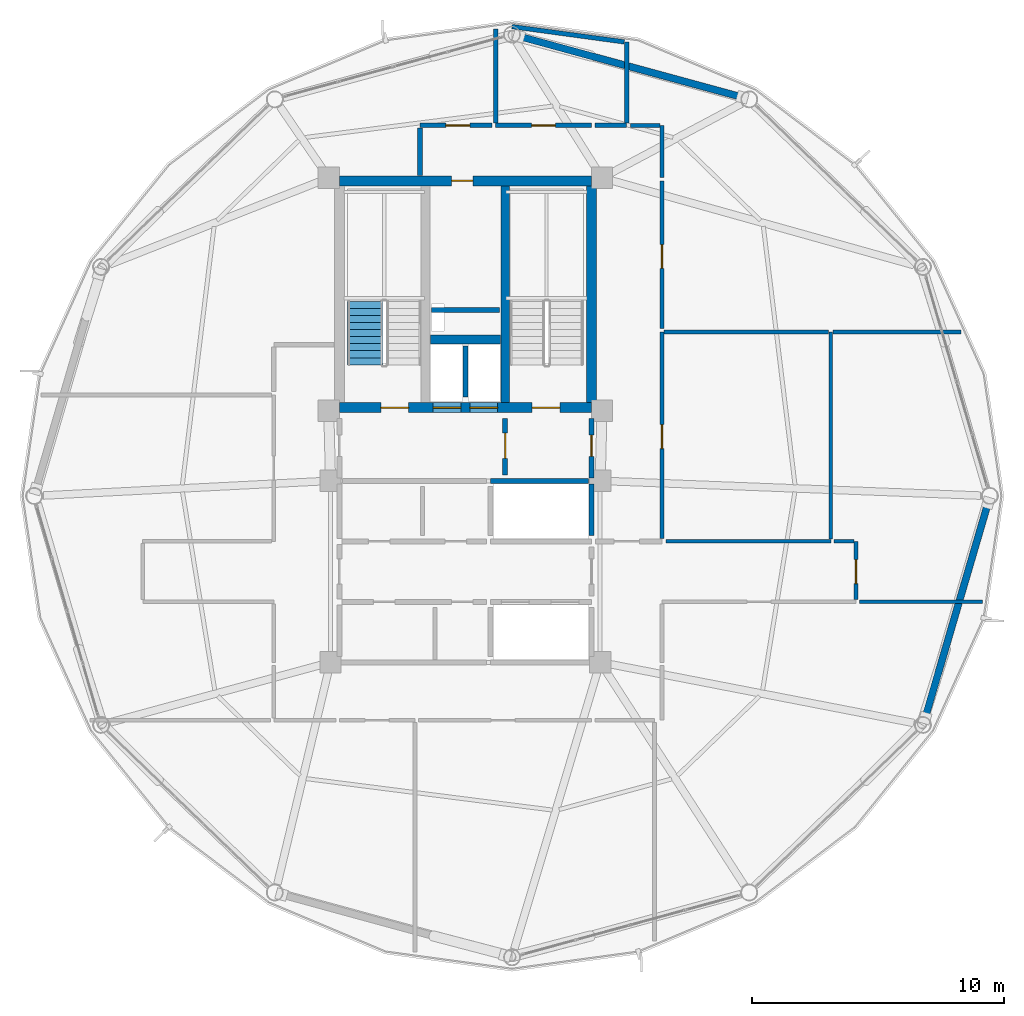
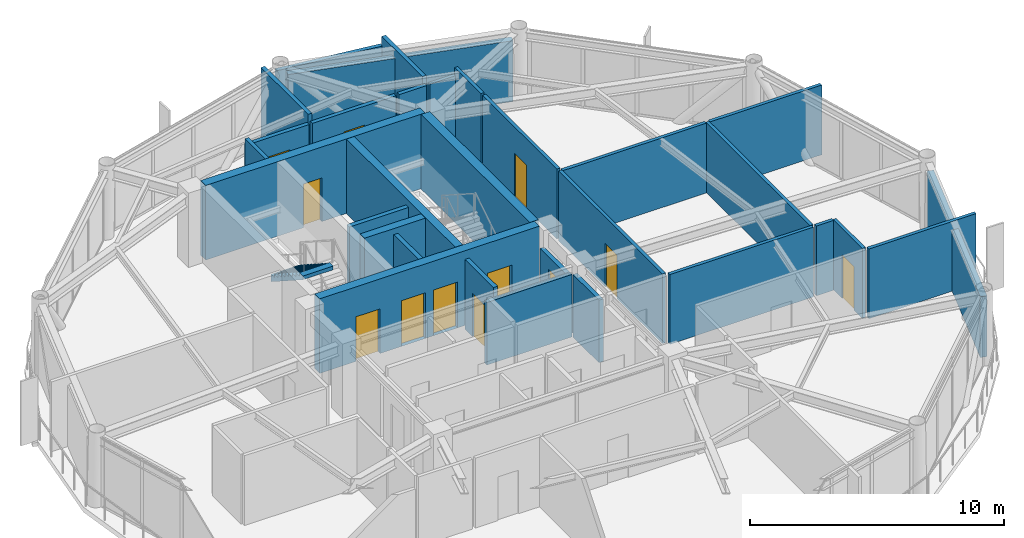
# One storey, part 22 of 26: 31 walls, 12 doors, 1 stair flight, 12 openings, 1 element without a shape of its own.
"""IFC4 building model written with IfcOpenShell, lengths in metres."""

from ifc_helpers import new_model, si_unit, direction, frame, frame_2d, origin, place, context, subcontext, project, spatial, polyline, rectangle, outline, extrude, material, layer, layer_set, type_object, element, fill, aggregate, save


model = new_model("IFC4")

# Units and contexts
model_context = context("Model", 3, precision=1e-05, world=origin(), true_north=direction((0.0, 1.0)))
body_context = subcontext(model_context, "Body", "Model", "MODEL_VIEW")
ifc_project = project(units=[si_unit("LENGTHUNIT", "METRE"), si_unit("AREAUNIT", "SQUARE_METRE"), si_unit("VOLUMEUNIT", "CUBIC_METRE"), si_unit("PLANEANGLEUNIT", "RADIAN"), si_unit("MASSUNIT", "GRAM", prefix="KILO")], contexts=[model_context])

# Site, building, storey
site_placement = place(None, origin())
site = spatial("IfcSite", under=ifc_project, at=site_placement, CompositionType="ELEMENT")
building_placement = place(site_placement, origin())
building = spatial("IfcBuilding", under=site, at=building_placement, Name="Varnakorn Sky Granary", CompositionType="ELEMENT")
storey_placement = place(building_placement, frame((0.0, 0.0, 222.0)))
storey = spatial("IfcBuildingStorey", under=building, at=storey_placement, Name="L56", CompositionType="ELEMENT", Elevation=222.0)

# Walls
ifc_material_1 = material(Name="Concrete C50/60", Category="concrete")
ifc_layer_1 = layer(ifc_material_1, 0.35009765625, Name="Concrete C50/60")
ifc_layer_set_1 = layer_set([ifc_layer_1], Name="Concrete C50/60")
wall_type_1 = type_object("IfcWallType", Name="WT-CW-INT-350", PredefinedType="SHEAR", material=ifc_layer_set_1)
wall_1_placement = place(storey_placement, frame((4.580078125, 3.7099609375, 0.0), z_axis=(0.0, 0.0, 1.0), x_axis=(0.0, 1.0, 0.0)))
element("IfcWall", 1, at=wall_1_placement, inside=storey, type_object=wall_type_1, Name="Stair ST-2 Core Wall L56", PredefinedType="SHEAR", context=body_context, shape_type="SweptSolid", body=[
    extrude(rectangle(XDim=8.580078125, YDim=0.35009765625, at=frame_2d((4.2900390625, 0.0))), origin(), (0.0, 0.0, 1.0), 3.592041015625),
])
wall_2_placement = place(storey_placement, frame((1.610107421875, 6.199951171875, 0.0), z_axis=(0.0, 0.0, 1.0), x_axis=(1.0, 0.0, 0.0)))
element("IfcWall", 2, at=wall_2_placement, inside=storey, type_object=wall_type_1, Name="Core Lift Shaft Cross Wall L56", PredefinedType="SHEAR", context=body_context, shape_type="SweptSolid", body=[
    extrude(rectangle(XDim=2.77978515625, YDim=0.35009765625, at=frame_2d((1.389892578125, 0.0))), origin(), (0.0, 0.0, 1.0), 3.592041015625),
])

# Wall, openings, doors
ifc_layer_2 = layer(ifc_material_1, 0.39990234375, Name="Concrete C50/60")
ifc_layer_set_2 = layer_set([ifc_layer_2], Name="Concrete C50/60")
wall_type_2 = type_object("IfcWallType", Name="WT-CW-SHEAR-400", PredefinedType="SHEAR", material=ifc_layer_set_2)
wall_3_placement = place(storey_placement, frame((-2.0, 3.5, 0.0), z_axis=(0.0, 0.0, 1.0), x_axis=(1.0, 0.0, 0.0)))
wall_3 = element("IfcWall", 3, at=wall_3_placement, inside=storey, type_object=wall_type_2, Name="Core South Shear Wall L56", PredefinedType="SHEAR", context=body_context, shape_type="SweptSolid", body=[
    extrude(rectangle(XDim=10.0, YDim=0.39990234375, at=frame_2d((5.0, 0.0))), origin(), (0.0, 0.0, 1.0), 3.592041015625),
])
opening_1_placement = place(wall_3_placement, frame((1.64990234375, 0.0, 0.0)))
opening_1 = element("IfcOpeningElement", 4, at=opening_1_placement, cuts=wall_3, Name="Opening FD-90", PredefinedType="OPENING", context=body_context, shape_type="SweptSolid", body=[
    extrude(rectangle(XDim=1.10009765625, YDim=2.14990234375, at=frame_2d((0.550048828125, 1.074951171875))), frame((0.0, 0.2099609375, 0.0), z_axis=(0.0, -1.0, 0.0), x_axis=(1.0, 0.0, 0.0)), (0.0, 0.0, 1.0), 0.419921875),
])
opening_2_placement = place(wall_3_placement, frame((7.64990234375, 0.0, 0.0)))
opening_2 = element("IfcOpeningElement", 5, at=opening_2_placement, cuts=wall_3, Name="Opening FD-90", PredefinedType="OPENING", context=body_context, shape_type="SweptSolid", body=[
    extrude(rectangle(XDim=1.10009765625, YDim=2.14990234375, at=frame_2d((0.550048828125, 1.074951171875))), frame((0.0, 0.2099609375, 0.0), z_axis=(0.0, -1.0, 0.0), x_axis=(1.0, 0.0, 0.0)), (0.0, 0.0, 1.0), 0.419921875),
])
opening_3_placement = place(wall_3_placement, frame((3.719970703125, 0.0, 0.0)))
opening_3 = element("IfcOpeningElement", 6, at=opening_3_placement, cuts=wall_3, Name="Opening LD-01", PredefinedType="OPENING", context=body_context, shape_type="SweptSolid", body=[
    extrude(rectangle(XDim=1.10009765625, YDim=2.199951171875, at=frame_2d((0.550048828125, 1.10009765625))), frame((0.0, 0.2099609375, 0.0), z_axis=(0.0, -1.0, 0.0), x_axis=(1.0, 0.0, 0.0)), (0.0, 0.0, 1.0), 0.419921875),
])
opening_4_placement = place(wall_3_placement, frame((5.179931640625, 0.0, 0.0)))
opening_4 = element("IfcOpeningElement", 7, at=opening_4_placement, cuts=wall_3, Name="Opening LD-01", PredefinedType="OPENING", context=body_context, shape_type="SweptSolid", body=[
    extrude(rectangle(XDim=1.10009765625, YDim=2.199951171875, at=frame_2d((0.550048828125, 1.10009765625))), frame((0.0, 0.2099609375, 0.0), z_axis=(0.0, -1.0, 0.0), x_axis=(1.0, 0.0, 0.0)), (0.0, 0.0, 1.0), 0.419921875),
])
ifc_material_2 = material(Name="Brushed Bronze Stainless Steel", Category="steel")
door_type_1 = type_object("IfcDoorType", Name="DR-LD-1100", OperationType="DOUBLE_DOOR_SLIDING", PredefinedType="DOOR", material=ifc_material_2)
door_1_placement = place(opening_3_placement, origin())
door_1 = element("IfcDoor", 8, at=door_1_placement, inside=storey, type_object=door_type_1, Name="Firefighting Lift FFL-1 Landing Door L56", OperationType="DOUBLE_DOOR_SLIDING", OverallHeight=2.199951171875, OverallWidth=1.10009765625, PredefinedType="DOOR", context=body_context, shape_type="SweptSolid", body=[
    extrude(rectangle(XDim=1.10009765625, YDim=2.199951171875, at=frame_2d((0.550048828125, 1.10009765625))), frame((0.0, 0.02490234375, 0.0), z_axis=(0.0, -1.0, 0.0), x_axis=(1.0, 0.0, 0.0)), (0.0, 0.0, 1.0), 0.050048828125),
])
fill(opening_3, door_1)
door_2_placement = place(opening_4_placement, origin())
door_2 = element("IfcDoor", 9, at=door_2_placement, inside=storey, type_object=door_type_1, Name="Firefighting Lift FFL-2 Landing Door L56", OperationType="DOUBLE_DOOR_SLIDING", OverallHeight=2.199951171875, OverallWidth=1.10009765625, PredefinedType="DOOR", context=body_context, shape_type="SweptSolid", body=[
    extrude(rectangle(XDim=1.10009765625, YDim=2.199951171875, at=frame_2d((0.550048828125, 1.10009765625))), frame((0.0, 0.02490234375, 0.0), z_axis=(0.0, -1.0, 0.0), x_axis=(1.0, 0.0, 0.0)), (0.0, 0.0, 1.0), 0.050048828125),
])
fill(opening_4, door_2)
ifc_material_3 = material(Name="Galvanised Painted Steel Leaf", Category="steel")
door_type_2 = type_object("IfcDoorType", Name="DR-STAIR-1100", OperationType="NOTDEFINED", PredefinedType="DOOR", material=ifc_material_3)
door_3_placement = place(opening_1_placement, origin())
door_3 = element("IfcDoor", 10, at=door_3_placement, inside=storey, type_object=door_type_2, Name="Stair ST-1 Protected Fire Door L56", OperationType="SINGLE_SWING_LEFT", OverallHeight=2.14990234375, OverallWidth=1.10009765625, PredefinedType="DOOR", context=body_context, shape_type="SweptSolid", body=[
    extrude(rectangle(XDim=1.10009765625, YDim=2.14990234375, at=frame_2d((0.550048828125, 1.074951171875))), frame((0.0, 0.02490234375, 0.0), z_axis=(0.0, -1.0, 0.0), x_axis=(1.0, 0.0, 0.0)), (0.0, 0.0, 1.0), 0.050048828125),
])
fill(opening_1, door_3)
door_4_placement = place(opening_2_placement, origin())
door_4 = element("IfcDoor", 11, at=door_4_placement, inside=storey, type_object=door_type_2, Name="Stair ST-2 Protected Fire Door L56", OperationType="SINGLE_SWING_RIGHT", OverallHeight=2.14990234375, OverallWidth=1.10009765625, PredefinedType="DOOR", context=body_context, shape_type="SweptSolid", body=[
    extrude(rectangle(XDim=1.10009765625, YDim=2.14990234375, at=frame_2d((0.550048828125, 1.074951171875))), frame((0.0, 0.02490234375, 0.0), z_axis=(0.0, -1.0, 0.0), x_axis=(1.0, 0.0, 0.0)), (0.0, 0.0, 1.0), 0.050048828125),
])
fill(opening_2, door_4)

# Wall, opening, door
wall_4_placement = place(storey_placement, frame((-2.0, 12.5, 0.0), z_axis=(0.0, 0.0, 1.0), x_axis=(1.0, 0.0, 0.0)))
wall_4 = element("IfcWall", 12, at=wall_4_placement, inside=storey, type_object=wall_type_2, Name="Core North Shear Wall L56", PredefinedType="SHEAR", context=body_context, shape_type="SweptSolid", body=[
    extrude(rectangle(XDim=10.0, YDim=0.39990234375, at=frame_2d((5.0, 0.0))), origin(), (0.0, 0.0, 1.0), 3.592041015625),
])
opening_5_placement = place(wall_4_placement, frame((4.449951171875, 0.0, 0.0)))
opening_5 = element("IfcOpeningElement", 13, at=opening_5_placement, cuts=wall_4, Name="Opening FD-60N", PredefinedType="OPENING", context=body_context, shape_type="SweptSolid", body=[
    extrude(rectangle(XDim=0.85009765625, YDim=2.10009765625, at=frame_2d((0.425048828125, 1.050048828125))), frame((0.0, 0.2099609375, 0.0), z_axis=(0.0, -1.0, 0.0), x_axis=(1.0, 0.0, 0.0)), (0.0, 0.0, 1.0), 0.419921875),
])
ifc_material_4 = material(Name="Acoustic Timber Fire Leaf", Category="wood")
door_type_3 = type_object("IfcDoorType", Name="DR-FD60-850", OperationType="NOTDEFINED", PredefinedType="DOOR", material=ifc_material_4)
door_5_placement = place(opening_5_placement, origin())
door_5 = element("IfcDoor", 14, at=door_5_placement, inside=storey, type_object=door_type_3, Name="Core North Service Door L56", OperationType="SINGLE_SWING_RIGHT", OverallHeight=2.10009765625, OverallWidth=0.85009765625, PredefinedType="DOOR", context=body_context, shape_type="SweptSolid", body=[
    extrude(rectangle(XDim=0.85009765625, YDim=2.10009765625, at=frame_2d((0.425048828125, 1.050048828125))), frame((0.0, 0.02490234375, 0.0), z_axis=(0.0, -1.0, 0.0), x_axis=(1.0, 0.0, 0.0)), (0.0, 0.0, 1.0), 0.050048828125),
])
fill(opening_5, door_5)

# Walls
wall_5_placement = place(storey_placement, frame((8.0, 3.7099609375, 0.0), z_axis=(0.0, 0.0, 1.0), x_axis=(0.0, 1.0, 0.0)))
element("IfcWall", 15, at=wall_5_placement, inside=storey, type_object=wall_type_2, Name="Core East Shear Wall L56", PredefinedType="SHEAR", context=body_context, shape_type="SweptSolid", body=[
    extrude(rectangle(XDim=8.580078125, YDim=0.39990234375, at=frame_2d((4.2900390625, 0.0))), origin(), (0.0, 0.0, 1.0), 3.592041015625),
])
ifc_material_5 = material(Name="Precast concrete C40/50", Category="concrete")
ifc_layer_3 = layer(ifc_material_5, 0.280029296875, Name="Precast concrete C40/50")
ifc_layer_set_3 = layer_set([ifc_layer_3], Name="Precast concrete C40/50")
wall_type_3 = type_object("IfcWallType", Name="WT-EW-CRN-280", PredefinedType="SOLIDWALL", material=ifc_layer_set_3)
wall_6_placement = place(storey_placement, frame((5.125, 18.235107421875, 0.0), z_axis=(0.0, 0.0, 1.0), x_axis=(0.964712927754, -0.263303944186, 0.0)))
element("IfcWall", 16, at=wall_6_placement, inside=storey, type_object=wall_type_3, Name="Agritech Insulated Precast Facade Wall L56-P03", PredefinedType="SOLIDWALL", context=body_context, shape_type="SweptSolid", body=[
    extrude(rectangle(XDim=9.191650390625, YDim=0.280029296875, at=frame_2d((4.595703125, 0.0))), origin(), (0.0, 0.0, 1.0), 2.929931640625),
])
wall_7_placement = place(storey_placement, frame((23.739013671875, -0.2734375, 0.0), z_axis=(0.0, 0.0, 1.0), x_axis=(-0.280756366698, -0.959779069661, 0.0)))
element("IfcWall", 17, at=wall_7_placement, inside=storey, type_object=wall_type_3, Name="Agritech Insulated Precast Facade Wall L56-P12", PredefinedType="SOLIDWALL", context=body_context, shape_type="SweptSolid", body=[
    extrude(rectangle(XDim=8.8984375, YDim=0.280029296875, at=frame_2d((4.44921875, 0.0))), origin(), (0.0, 0.0, 1.0), 2.929931640625),
])

# Wall, opening, door
ifc_material_6 = material(Name="Autoclaved Aerated Concrete Blockwork", Category="masonry")
ifc_layer_4 = layer(ifc_material_6, 0.199951171875, Name="Autoclaved Aerated Concrete Blockwork")
ifc_layer_set_4 = layer_set([ifc_layer_4], Name="Autoclaved Aerated Concrete Blockwork")
wall_type_4 = type_object("IfcWallType", Name="WT-FIRE-200", PredefinedType="MOVABLE", material=ifc_layer_set_4)
wall_8_placement = place(storey_placement, frame((4.580078125, 0.830078125, 0.0), z_axis=(0.0, 0.0, 1.0), x_axis=(0.0, 1.0, 0.0)))
wall_8 = element("IfcWall", 18, at=wall_8_placement, inside=storey, type_object=wall_type_4, Name="Interior Partition Wall L56-011", PredefinedType="MOVABLE", context=body_context, shape_type="SweptSolid", body=[
    extrude(rectangle(XDim=2.239990234375, YDim=0.199951171875, at=frame_2d((1.1201171875, 0.0))), origin(), (0.0, 0.0, 1.0), 3.360107421875),
])
opening_6_placement = place(wall_8_placement, frame((0.659912109375, 0.0, 0.0)))
opening_6 = element("IfcOpeningElement", 19, at=opening_6_placement, cuts=wall_8, Name="Opening FD-60", PredefinedType="OPENING", context=body_context, shape_type="SweptSolid", body=[
    extrude(rectangle(XDim=1.0, YDim=2.10009765625, at=frame_2d((0.5, 1.050048828125))), frame((0.0, 0.10986328125, 0.0), z_axis=(0.0, -1.0, 0.0), x_axis=(1.0, 0.0, 0.0)), (0.0, 0.0, 1.0), 0.219970703125),
])
door_type_4 = type_object("IfcDoorType", Name="DR-FD60-1000", OperationType="NOTDEFINED", PredefinedType="DOOR", material=ifc_material_4)
door_6_placement = place(opening_6_placement, origin())
door_6 = element("IfcDoor", 20, at=door_6_placement, inside=storey, type_object=door_type_4, Name="Interior Door L56-011-1", OperationType="SINGLE_SWING_LEFT", OverallHeight=2.10009765625, OverallWidth=1.0, PredefinedType="DOOR", context=body_context, shape_type="SweptSolid", body=[
    extrude(rectangle(XDim=1.0, YDim=2.10009765625, at=frame_2d((0.5, 1.050048828125))), frame((0.0, 0.02490234375, 0.0), z_axis=(0.0, -1.0, 0.0), x_axis=(1.0, 0.0, 0.0)), (0.0, 0.0, 1.0), 0.050048828125),
])
fill(opening_6, door_6)

wall_9_placement = place(storey_placement, frame((8.0, 0.719970703125, 0.0), z_axis=(0.0, 0.0, 1.0), x_axis=(0.0, 1.0, 0.0)))
wall_9 = element("IfcWall", 21, at=wall_9_placement, inside=storey, type_object=wall_type_4, Name="Interior Partition Wall L56-013", PredefinedType="MOVABLE", context=body_context, shape_type="SweptSolid", body=[
    extrude(rectangle(XDim=2.35009765625, YDim=0.199951171875, at=frame_2d((1.175048828125, 0.0))), origin(), (0.0, 0.0, 1.0), 2.69189453125),
])
opening_7_placement = place(wall_9_placement, frame((0.844970703125, 0.0, 0.0)))
opening_7 = element("IfcOpeningElement", 22, at=opening_7_placement, cuts=wall_9, Name="Opening FD-60N", PredefinedType="OPENING", context=body_context, shape_type="SweptSolid", body=[
    extrude(rectangle(XDim=0.85009765625, YDim=2.10009765625, at=frame_2d((0.425048828125, 1.050048828125))), frame((0.0, 0.10986328125, 0.0), z_axis=(0.0, -1.0, 0.0), x_axis=(1.0, 0.0, 0.0)), (0.0, 0.0, 1.0), 0.219970703125),
])
door_7_placement = place(opening_7_placement, origin())
door_7 = element("IfcDoor", 23, at=door_7_placement, inside=storey, type_object=door_type_3, Name="Interior Door L56-013-1", OperationType="SINGLE_SWING_LEFT", OverallHeight=2.10009765625, OverallWidth=0.85009765625, PredefinedType="DOOR", context=body_context, shape_type="SweptSolid", body=[
    extrude(rectangle(XDim=0.85009765625, YDim=2.10009765625, at=frame_2d((0.425048828125, 1.050048828125))), frame((0.0, 0.02490234375, 0.0), z_axis=(0.0, -1.0, 0.0), x_axis=(1.0, 0.0, 0.0)), (0.0, 0.0, 1.0), 0.050048828125),
])
fill(opening_7, door_7)

ifc_material_7 = material(Name="Gypsum Plasterboard on Steel Stud", Category="steel")
ifc_layer_5 = layer(ifc_material_7, 0.14990234375, Name="Gypsum Plasterboard on Steel Stud")
ifc_layer_set_5 = layer_set([ifc_layer_5], Name="Gypsum Plasterboard on Steel Stud")
wall_type_5 = type_object("IfcWallType", Name="WT-PART-150", PredefinedType="PARTITIONING", material=ifc_layer_set_5)
wall_10_placement = place(storey_placement, frame((10.800048828125, -1.68994140625, 0.0), z_axis=(0.0, 0.0, 1.0), x_axis=(0.0, 1.0, 0.0)))
wall_10 = element("IfcWall", 24, at=wall_10_placement, inside=storey, type_object=wall_type_5, Name="Interior Partition Wall L56-025", PredefinedType="PARTITIONING", context=body_context, shape_type="SweptSolid", body=[
    extrude(rectangle(XDim=8.18994140625, YDim=0.14990234375, at=frame_2d((4.094970703125, 0.0))), origin(), (0.0, 0.0, 1.0), 3.360107421875),
])
opening_8_placement = place(wall_10_placement, frame((3.56494140625, 0.0, 0.0)))
opening_8 = element("IfcOpeningElement", 25, at=opening_8_placement, cuts=wall_10, Name="Opening ID-95", PredefinedType="OPENING", context=body_context, shape_type="SweptSolid", body=[
    extrude(rectangle(XDim=0.949951171875, YDim=2.10009765625, at=frame_2d((0.47509765625, 1.050048828125))), frame((0.0, 0.0849609375, 0.0), z_axis=(0.0, -1.0, 0.0), x_axis=(1.0, 0.0, 0.0)), (0.0, 0.0, 1.0), 0.169921875),
])
ifc_material_8 = material(Name="Solid-Core Teak Veneer Leaf", Category="timber")
door_type_5 = type_object("IfcDoorType", Name="DR-INT-950", OperationType="NOTDEFINED", PredefinedType="DOOR", material=ifc_material_8)
door_8_placement = place(opening_8_placement, origin())
door_8 = element("IfcDoor", 26, at=door_8_placement, inside=storey, type_object=door_type_5, Name="Interior Door L56-025-1", OperationType="SINGLE_SWING_LEFT", OverallHeight=2.10009765625, OverallWidth=0.949951171875, PredefinedType="DOOR", context=body_context, shape_type="SweptSolid", body=[
    extrude(rectangle(XDim=0.949951171875, YDim=2.10009765625, at=frame_2d((0.47509765625, 1.050048828125))), frame((0.0, 0.02490234375, 0.0), z_axis=(0.0, -1.0, 0.0), x_axis=(1.0, 0.0, 0.0)), (0.0, 0.0, 1.0), 0.050048828125),
])
fill(opening_8, door_8)

wall_11_placement = place(storey_placement, frame((18.5, -4.114990234375, 0.0), z_axis=(0.0, 0.0, 1.0), x_axis=(0.0, 1.0, 0.0)))
wall_11 = element("IfcWall", 27, at=wall_11_placement, inside=storey, type_object=wall_type_5, Name="Interior Partition Wall L56-026", PredefinedType="PARTITIONING", context=body_context, shape_type="SweptSolid", body=[
    extrude(rectangle(XDim=2.31494140625, YDim=0.14990234375, at=frame_2d((1.157470703125, 0.0))), origin(), (0.0, 0.0, 1.0), 3.360107421875),
])
opening_9_placement = place(wall_11_placement, frame((0.639892578125, 0.0, 0.0)))
opening_9 = element("IfcOpeningElement", 28, at=opening_9_placement, cuts=wall_11, Name="Opening ID-95", PredefinedType="OPENING", context=body_context, shape_type="SweptSolid", body=[
    extrude(rectangle(XDim=0.949951171875, YDim=2.10009765625, at=frame_2d((0.47509765625, 1.050048828125))), frame((0.0, 0.0849609375, 0.0), z_axis=(0.0, -1.0, 0.0), x_axis=(1.0, 0.0, 0.0)), (0.0, 0.0, 1.0), 0.169921875),
])
door_9_placement = place(opening_9_placement, origin())
door_9 = element("IfcDoor", 29, at=door_9_placement, inside=storey, type_object=door_type_5, Name="Interior Door L56-026-1", OperationType="SINGLE_SWING_RIGHT", OverallHeight=2.10009765625, OverallWidth=0.949951171875, PredefinedType="DOOR", context=body_context, shape_type="SweptSolid", body=[
    extrude(rectangle(XDim=0.949951171875, YDim=2.10009765625, at=frame_2d((0.47509765625, 1.050048828125))), frame((0.0, 0.02490234375, 0.0), z_axis=(0.0, -1.0, 0.0), x_axis=(1.0, 0.0, 0.0)), (0.0, 0.0, 1.0), 0.050048828125),
])
fill(opening_9, door_9)

wall_12_placement = place(storey_placement, frame((10.800048828125, 6.635009765625, 0.0), z_axis=(0.0, 0.0, 1.0), x_axis=(0.0, 1.0, 0.0)))
wall_12 = element("IfcWall", 30, at=wall_12_placement, inside=storey, type_object=wall_type_5, Name="Interior Partition Wall L56-027", PredefinedType="PARTITIONING", context=body_context, shape_type="SweptSolid", body=[
    extrude(rectangle(XDim=5.864990234375, YDim=0.14990234375, at=frame_2d((2.9326171875, 0.0))), origin(), (0.0, 0.0, 1.0), 3.360107421875),
])
opening_10_placement = place(wall_12_placement, frame((2.389892578125, 0.0, 0.0)))
opening_10 = element("IfcOpeningElement", 31, at=opening_10_placement, cuts=wall_12, Name="Opening ID-95", PredefinedType="OPENING", context=body_context, shape_type="SweptSolid", body=[
    extrude(rectangle(XDim=0.949951171875, YDim=2.10009765625, at=frame_2d((0.47509765625, 1.050048828125))), frame((0.0, 0.0849609375, 0.0), z_axis=(0.0, -1.0, 0.0), x_axis=(1.0, 0.0, 0.0)), (0.0, 0.0, 1.0), 0.169921875),
])
door_10_placement = place(opening_10_placement, origin())
door_10 = element("IfcDoor", 32, at=door_10_placement, inside=storey, type_object=door_type_5, Name="Interior Door L56-027-1", OperationType="SINGLE_SWING_LEFT", OverallHeight=2.10009765625, OverallWidth=0.949951171875, PredefinedType="DOOR", context=body_context, shape_type="SweptSolid", body=[
    extrude(rectangle(XDim=0.949951171875, YDim=2.10009765625, at=frame_2d((0.47509765625, 1.050048828125))), frame((0.0, 0.02490234375, 0.0), z_axis=(0.0, -1.0, 0.0), x_axis=(1.0, 0.0, 0.0)), (0.0, 0.0, 1.0), 0.050048828125),
])
fill(opening_10, door_10)

# Walls
wall_13_placement = place(storey_placement, frame((18.635009765625, -4.199951171875, 0.0), z_axis=(0.0, 0.0, 1.0), x_axis=(1.0, 0.0, 0.0)))
element("IfcWall", 33, at=wall_13_placement, inside=storey, type_object=wall_type_5, Name="Interior Partition Wall L56-042", PredefinedType="PARTITIONING", context=body_context, shape_type="SweptSolid", body=[
    extrude(rectangle(XDim=4.882080078125, YDim=0.14990234375, at=frame_2d((2.44091796875, 0.0))), origin(), (0.0, 0.0, 1.0), 3.360107421875),
])
wall_14_placement = place(storey_placement, frame((17.5, -1.800048828125, 0.0), z_axis=(0.0, 0.0, 1.0), x_axis=(-1.0, 0.0, 0.0)))
element("IfcWall", 34, at=wall_14_placement, inside=storey, type_object=wall_type_5, Name="Interior Partition Wall L56-053", PredefinedType="PARTITIONING", context=body_context, shape_type="SweptSolid", body=[
    extrude(rectangle(XDim=6.5400390625, YDim=0.14990234375, at=frame_2d((3.27001953125, 0.0))), origin(), (0.0, 0.0, 1.0), 3.360107421875),
])
wall_15_placement = place(storey_placement, frame((17.5, 6.5, 0.0), z_axis=(0.0, 0.0, 1.0), x_axis=(0.0, -1.0, 0.0)))
element("IfcWall", 35, at=wall_15_placement, inside=storey, type_object=wall_type_5, Name="Interior Partition Wall L56-054", PredefinedType="PARTITIONING", context=body_context, shape_type="SweptSolid", body=[
    extrude(rectangle(XDim=8.215087890625, YDim=0.14990234375, at=frame_2d((4.107421875, 0.0))), origin(), (0.0, 0.0, 1.0), 3.360107421875),
])
wall_16_placement = place(storey_placement, frame((10.885009765625, 6.5, 0.0), z_axis=(0.0, 0.0, 1.0), x_axis=(1.0, 0.0, 0.0)))
element("IfcWall", 36, at=wall_16_placement, inside=storey, type_object=wall_type_5, Name="Interior Partition Wall L56-055", PredefinedType="PARTITIONING", context=body_context, shape_type="SweptSolid", body=[
    extrude(rectangle(XDim=6.530029296875, YDim=0.14990234375, at=frame_2d((3.26513671875, 0.0))), origin(), (0.0, 0.0, 1.0), 3.360107421875),
])
wall_17_placement = place(storey_placement, frame((18.4150390625, -1.800048828125, 0.0), z_axis=(0.0, 0.0, 1.0), x_axis=(-1.0, 0.0, 0.0)))
element("IfcWall", 37, at=wall_17_placement, inside=storey, type_object=wall_type_5, Name="Interior Partition Wall L56-056", PredefinedType="PARTITIONING", context=body_context, shape_type="SweptSolid", body=[
    extrude(rectangle(XDim=0.780029296875, YDim=0.14990234375, at=frame_2d((0.39013671875, 0.0))), origin(), (0.0, 0.0, 1.0), 3.360107421875),
])
wall_18_placement = place(storey_placement, frame((17.5849609375, 6.5, 0.0), z_axis=(0.0, 0.0, 1.0), x_axis=(1.0, 0.0, 0.0)))
element("IfcWall", 38, at=wall_18_placement, inside=storey, type_object=wall_type_5, Name="Interior Partition Wall L56-057", PredefinedType="PARTITIONING", context=body_context, shape_type="SweptSolid", body=[
    extrude(rectangle(XDim=5.0810546875, YDim=0.14990234375, at=frame_2d((2.54052734375, 0.0))), origin(), (0.0, 0.0, 1.0), 3.360107421875),
])
wall_19_placement = place(storey_placement, frame((10.800048828125, 12.635009765625, 0.0), z_axis=(0.0, 0.0, 1.0), x_axis=(0.0, 1.0, 0.0)))
element("IfcWall", 39, at=wall_19_placement, inside=storey, type_object=wall_type_5, Name="Interior Partition Wall L56-058", PredefinedType="PARTITIONING", context=body_context, shape_type="SweptSolid", body=[
    extrude(rectangle(XDim=2.06494140625, YDim=0.14990234375, at=frame_2d((1.032470703125, 0.0))), origin(), (0.0, 0.0, 1.0), 3.360107421875),
])
wall_20_placement = place(storey_placement, frame((10.715087890625, 14.699951171875, 0.0), z_axis=(0.0, 0.0, 1.0), x_axis=(-1.0, 0.0, 0.0)))
element("IfcWall", 40, at=wall_20_placement, inside=storey, type_object=wall_type_5, Name="Interior Partition Wall L56-059", PredefinedType="PARTITIONING", context=body_context, shape_type="SweptSolid", body=[
    extrude(rectangle(XDim=1.1650390625, YDim=0.14990234375, at=frame_2d((0.58251953125, 0.0))), origin(), (0.0, 0.0, 1.0), 3.011962890625),
])

# Wall, opening, door
ifc_material_9 = material(Name="Moisture-Resistant Gypsum on Stud", Category="gypsum")
ifc_layer_6 = layer(ifc_material_9, 0.179931640625, Name="Moisture-Resistant Gypsum on Stud")
ifc_layer_set_6 = layer_set([ifc_layer_6], Name="Moisture-Resistant Gypsum on Stud")
wall_type_6 = type_object("IfcWallType", Name="WT-PLUMB-180", PredefinedType="PLUMBINGWALL", material=ifc_layer_set_6)
wall_21_placement = place(storey_placement, frame((8.0, 14.699951171875, 0.0), z_axis=(0.0, 0.0, 1.0), x_axis=(-1.0, 0.0, 0.0)))
wall_21 = element("IfcWall", 41, at=wall_21_placement, inside=storey, type_object=wall_type_6, Name="Interior Partition Wall L56-019", PredefinedType="PLUMBINGWALL", context=body_context, shape_type="SweptSolid", body=[
    extrude(rectangle(XDim=3.800048828125, YDim=0.179931640625, at=frame_2d((1.89990234375, 0.0))), origin(), (0.0, 0.0, 1.0), 3.011962890625),
])
opening_11_placement = place(wall_21_placement, frame((1.425048828125, 0.0, 0.0)))
opening_11 = element("IfcOpeningElement", 42, at=opening_11_placement, cuts=wall_21, Name="Opening ID-95", PredefinedType="OPENING", context=body_context, shape_type="SweptSolid", body=[
    extrude(rectangle(XDim=0.949951171875, YDim=2.10009765625, at=frame_2d((0.47509765625, 1.050048828125))), frame((0.0, 0.10009765625, 0.0), z_axis=(0.0, -1.0, 0.0), x_axis=(1.0, 0.0, 0.0)), (0.0, 0.0, 1.0), 0.199951171875),
])
door_11_placement = place(opening_11_placement, origin())
door_11 = element("IfcDoor", 43, at=door_11_placement, inside=storey, type_object=door_type_5, Name="Interior Door L56-019-1", OperationType="SINGLE_SWING_LEFT", OverallHeight=2.10009765625, OverallWidth=0.949951171875, PredefinedType="DOOR", context=body_context, shape_type="SweptSolid", body=[
    extrude(rectangle(XDim=0.949951171875, YDim=2.10009765625, at=frame_2d((0.47509765625, 1.050048828125))), frame((0.0, 0.02490234375, 0.0), z_axis=(0.0, -1.0, 0.0), x_axis=(1.0, 0.0, 0.0)), (0.0, 0.0, 1.0), 0.050048828125),
])
fill(opening_11, door_11)

wall_22_placement = place(storey_placement, frame((4.050048828125, 14.699951171875, 0.0), z_axis=(0.0, 0.0, 1.0), x_axis=(-1.0, 0.0, 0.0)))
wall_22 = element("IfcWall", 44, at=wall_22_placement, inside=storey, type_object=wall_type_6, Name="Interior Partition Wall L56-024", PredefinedType="PLUMBINGWALL", context=body_context, shape_type="SweptSolid", body=[
    extrude(rectangle(XDim=2.85009765625, YDim=0.179931640625, at=frame_2d((1.425048828125, 0.0))), origin(), (0.0, 0.0, 1.0), 3.011962890625),
])
opening_12_placement = place(wall_22_placement, frame((0.875, 0.0, 0.0)))
opening_12 = element("IfcOpeningElement", 45, at=opening_12_placement, cuts=wall_22, Name="Opening ID-95", PredefinedType="OPENING", context=body_context, shape_type="SweptSolid", body=[
    extrude(rectangle(XDim=0.949951171875, YDim=2.10009765625, at=frame_2d((0.47509765625, 1.050048828125))), frame((0.0, 0.10009765625, 0.0), z_axis=(0.0, -1.0, 0.0), x_axis=(1.0, 0.0, 0.0)), (0.0, 0.0, 1.0), 0.199951171875),
])
door_12_placement = place(opening_12_placement, origin())
door_12 = element("IfcDoor", 46, at=door_12_placement, inside=storey, type_object=door_type_5, Name="Interior Door L56-024-1", OperationType="SINGLE_SWING_RIGHT", OverallHeight=2.10009765625, OverallWidth=0.949951171875, PredefinedType="DOOR", context=body_context, shape_type="SweptSolid", body=[
    extrude(rectangle(XDim=0.949951171875, YDim=2.10009765625, at=frame_2d((0.47509765625, 1.050048828125))), frame((0.0, 0.02490234375, 0.0), z_axis=(0.0, -1.0, 0.0), x_axis=(1.0, 0.0, 0.0)), (0.0, 0.0, 1.0), 0.050048828125),
])
fill(opening_12, door_12)

# Walls
wall_23_placement = place(storey_placement, frame((9.39990234375, 14.699951171875, 0.0), z_axis=(0.0, 0.0, 1.0), x_axis=(-1.0, 0.0, 0.0)))
element("IfcWall", 47, at=wall_23_placement, inside=storey, type_object=wall_type_6, Name="Interior Partition Wall L56-034", PredefinedType="PLUMBINGWALL", context=body_context, shape_type="SweptSolid", body=[
    extrude(rectangle(XDim=1.25, YDim=0.179931640625, at=frame_2d((0.625, 0.0))), origin(), (0.0, 0.0, 1.0), 3.011962890625),
])
wall_24_placement = place(storey_placement, frame((1.199951171875, 14.60009765625, 0.0), z_axis=(0.0, 0.0, 1.0), x_axis=(0.0, -1.0, 0.0)))
element("IfcWall", 48, at=wall_24_placement, inside=storey, type_object=wall_type_6, Name="Interior Partition Wall L56-049", PredefinedType="PLUMBINGWALL", context=body_context, shape_type="SweptSolid", body=[
    extrude(rectangle(XDim=1.89013671875, YDim=0.179931640625, at=frame_2d((0.945068359375, 0.0))), origin(), (0.0, 0.0, 1.0), 3.360107421875),
])
wall_25_placement = place(storey_placement, frame((4.199951171875, 18.531005859375, 0.0), z_axis=(0.0, 0.0, 1.0), x_axis=(0.0, -1.0, 0.0)))
element("IfcWall", 49, at=wall_25_placement, inside=storey, type_object=wall_type_6, Name="Interior Partition Wall L56-052", PredefinedType="PLUMBINGWALL", context=body_context, shape_type="SweptSolid", body=[
    extrude(rectangle(XDim=3.73095703125, YDim=0.179931640625, at=frame_2d((1.865478515625, 0.0))), origin(), (0.0, 0.0, 1.0), 3.360107421875),
])
wall_26_placement = place(storey_placement, frame((9.39990234375, 14.800048828125, 0.0), z_axis=(0.0, 0.0, 1.0), x_axis=(0.0, 1.0, 0.0)))
element("IfcWall", 50, at=wall_26_placement, inside=storey, type_object=wall_type_6, Name="Interior Partition Wall L56-060", PredefinedType="PLUMBINGWALL", context=body_context, shape_type="SweptSolid", body=[
    extrude(rectangle(XDim=3.199951171875, YDim=0.179931640625, at=frame_2d((1.60009765625, 0.0))), origin(), (0.0, 0.0, 1.0), 3.360107421875),
])
wall_27_placement = place(storey_placement, frame((9.301025390625, 18.013916015625, 0.0), z_axis=(0.0, 0.0, 1.0), x_axis=(-0.990852313587, 0.134950704549, 0.0)))
element("IfcWall", 51, at=wall_27_placement, inside=storey, type_object=wall_type_6, Name="Interior Partition Wall L56-061", PredefinedType="PLUMBINGWALL", context=body_context, shape_type="SweptSolid", body=[
    extrude(rectangle(XDim=4.491943359375, YDim=0.179931640625, at=frame_2d((2.24609375, 0.0))), origin(), (0.0, 0.0, 1.0), 2.94189453125),
])
ifc_layer_7 = layer(ifc_material_6, 0.199951171875, Name="Autoclaved Aerated Concrete Blockwork")
ifc_layer_set_7 = layer_set([ifc_layer_7], Name="Autoclaved Aerated Concrete Blockwork")
wall_type_7 = type_object("IfcWallType", Name="WT-SHAFT-200", PredefinedType="SOLIDWALL", material=ifc_layer_set_7)
wall_28_placement = place(storey_placement, frame((3.0, 3.919921875, 0.0), z_axis=(0.0, 0.0, 1.0), x_axis=(0.0, 1.0, 0.0)))
element("IfcWall", 52, at=wall_28_placement, inside=storey, type_object=wall_type_7, Name="Interior Partition Wall L56-001", PredefinedType="SOLIDWALL", context=body_context, shape_type="SweptSolid", body=[
    extrude(rectangle(XDim=2.030029296875, YDim=0.199951171875, at=frame_2d((1.01513671875, 0.0))), origin(), (0.0, 0.0, 1.0), 3.360107421875),
])
wall_29_placement = place(storey_placement, frame((1.64990234375, 7.3798828125, 0.0), z_axis=(0.0, 0.0, 1.0), x_axis=(1.0, 0.0, 0.0)))
element("IfcWall", 53, at=wall_29_placement, inside=storey, type_object=wall_type_7, Name="Interior Partition Wall L56-002", PredefinedType="SOLIDWALL", context=body_context, shape_type="SweptSolid", body=[
    extrude(rectangle(XDim=2.7001953125, YDim=0.199951171875, at=frame_2d((1.35009765625, 0.0))), origin(), (0.0, 0.0, 1.0), 3.360107421875),
])
wall_30_placement = place(storey_placement, frame((4.0, 0.60009765625, 0.0), z_axis=(0.0, 0.0, 1.0), x_axis=(1.0, 0.0, 0.0)))
element("IfcWall", 54, at=wall_30_placement, inside=storey, type_object=wall_type_7, Name="Interior Partition Wall L56-003", PredefinedType="SOLIDWALL", context=body_context, shape_type="SweptSolid", body=[
    extrude(rectangle(XDim=3.8798828125, YDim=0.199951171875, at=frame_2d((1.93994140625, 0.0))), origin(), (0.0, 0.0, 1.0), 3.011962890625),
])
wall_31_placement = place(storey_placement, frame((8.0, -1.570068359375, 0.0), z_axis=(0.0, 0.0, 1.0), x_axis=(0.0, 1.0, 0.0)))
element("IfcWall", 55, at=wall_31_placement, inside=storey, type_object=wall_type_7, Name="Interior Partition Wall L56-006", PredefinedType="SOLIDWALL", context=body_context, shape_type="SweptSolid", body=[
    extrude(rectangle(XDim=2.050048828125, YDim=0.199951171875, at=frame_2d((1.02490234375, 0.0))), origin(), (0.0, 0.0, 1.0), 3.011962890625),
])

# Stair, stair flight
ifc_material_10 = material(Name="Concrete C40/50", Category="concrete")
stair_type = type_object("IfcStairType", Name="ST-MAIN-ASSEMBLY", PredefinedType="HALF_TURN_STAIR", material=ifc_material_10)
stair_placement = place(storey_placement, origin())
stair = element("IfcStair", 56, at=stair_placement, inside=storey, type_object=stair_type, Name="L56 Protected Exit Stair ST-1", PredefinedType="HALF_TURN_STAIR")
stair_flight_type = type_object("IfcStairFlightType", Name="ST-MAIN-FLIGHT", PredefinedType="STRAIGHT", material=ifc_material_10)
stair_flight_placement = place(storey_placement, frame((-0.97998046875, 7.719970703125, 1.800048828125), z_axis=(0.0, 0.0, 1.0), x_axis=(0.0, -1.0, 0.0)))
stair_flight = element("IfcStairFlight", 57, at=stair_flight_placement, type_object=stair_flight_type, Name="ST-1 flight 2", NumberOfRisers=10, NumberOfTreads=9, PredefinedType="STRAIGHT", RiserHeight=0.18, TreadLength=0.28, context=body_context, shape_type="SweptSolid", body=[
    extrude(outline(polyline([(0.0, -0.14990234375), (0.0, 0.0), (0.0, 0.179931640625), (0.280029296875, 0.179931640625), (0.280029296875, 0.360107421875), (0.56005859375, 0.360107421875), (0.56005859375, 0.5400390625), (0.840087890625, 0.5400390625), (0.840087890625, 0.719970703125), (1.1201171875, 0.719970703125), (1.1201171875, 0.89990234375), (1.39990234375, 0.89990234375), (1.39990234375, 1.080078125), (1.679931640625, 1.080078125), (1.679931640625, 1.260009765625), (1.9599609375, 1.260009765625), (1.9599609375, 1.43994140625), (2.239990234375, 1.43994140625), (2.239990234375, 1.6201171875), (2.52001953125, 1.6201171875), (2.52001953125, 1.800048828125), (2.52001953125, 1.44189453125), (0.050048828125, -0.14990234375), (0.0, -0.14990234375)])), frame((0.0, 0.68994140625, 0.0), z_axis=(0.0, -1.0, 0.0), x_axis=(1.0, 0.0, 0.0)), (0.0, 0.0, 1.0), 1.3798828125),
])
aggregate(stair, [stair_flight])

save(model, "model.ifc")
